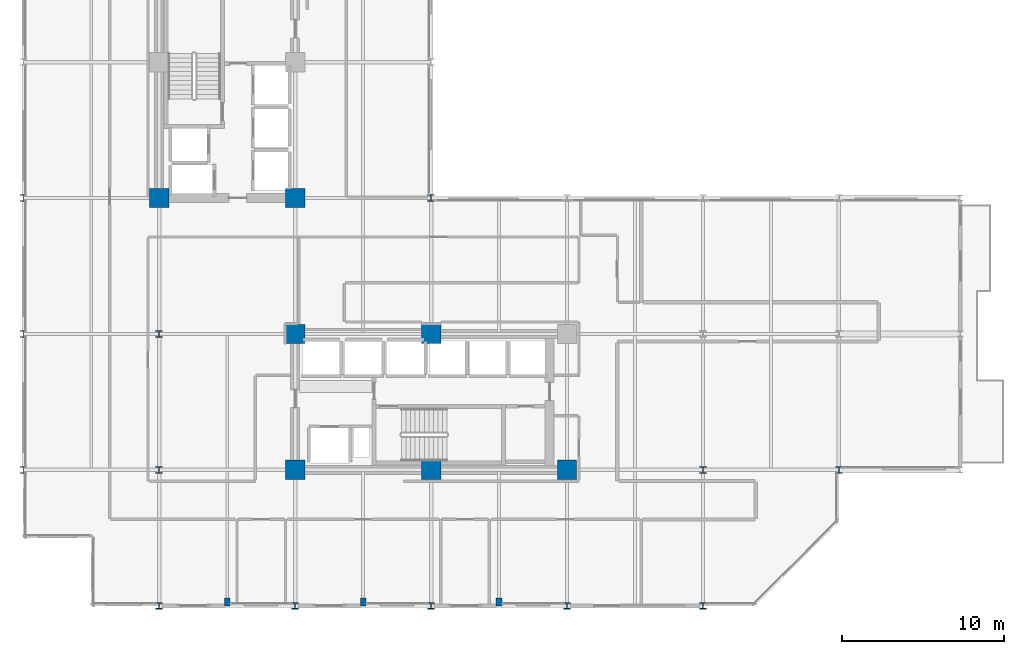
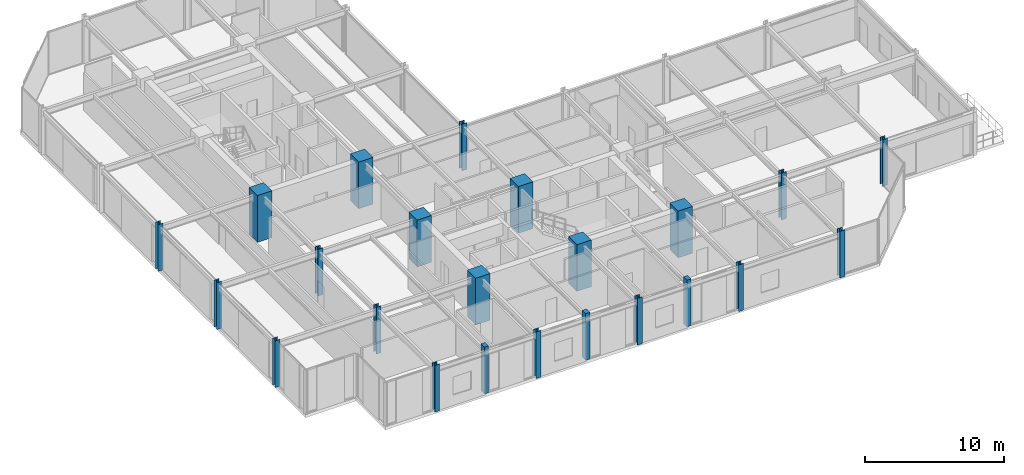
# One storey, part 1 of 38: 23 columns.
"""IFC4 building model written with IfcOpenShell, lengths in metres."""

from ifc_helpers import new_model, si_unit, direction, frame, origin, origin_2d, place, context, subcontext, project, spatial, rectangle, i_section, extrude, material, material_profile, profile_set, type_object, element, save


model = new_model("IFC4")

# Units and contexts
model_context = context("Model", 3, precision=1e-05, world=origin(), true_north=direction((0.0, 1.0)))
body_context = subcontext(model_context, "Body", "Model", "MODEL_VIEW")
ifc_project = project(units=[si_unit("LENGTHUNIT", "METRE"), si_unit("AREAUNIT", "SQUARE_METRE"), si_unit("VOLUMEUNIT", "CUBIC_METRE"), si_unit("PLANEANGLEUNIT", "RADIAN"), si_unit("MASSUNIT", "GRAM", prefix="KILO")], contexts=[model_context])

# Site, building, storey
site_placement = place(None, origin())
site = spatial("IfcSite", under=ifc_project, at=site_placement, CompositionType="ELEMENT")
building_placement = place(site_placement, origin())
building = spatial("IfcBuilding", under=site, at=building_placement, Name="Nerrivon Quay Data Exchange", CompositionType="ELEMENT")
storey_placement = place(building_placement, frame((0.0, 0.0, 84.39990234375)))
storey = spatial("IfcBuildingStorey", under=building, at=storey_placement, Name="L19", CompositionType="ELEMENT", Elevation=84.39990234375)

# Columns
ifc_material_1 = material(Name="Concrete S65 (65 MPa)", Category="concrete")
ifc_material_profile_1 = material_profile(ifc_material_1, rectangle(XDim=1.199951171875, YDim=1.199951171875, at=origin_2d()), Name="RC-COL-1200x1200")
ifc_profile_set_1 = profile_set([ifc_material_profile_1], Name="Concrete S65 (65 MPa)")
column_type_1 = type_object("IfcColumnType", Name="COL-C3-1200", PredefinedType="COLUMN", material=ifc_profile_set_1)
for number, where, z_axis, x_axis, name in (
    (1, (8.39990234375, 25.199951171875, 0.0), (0.0, 0.0, 1.0), (1.0, 0.0, 0.0), "L19 Column (8.4,25.2)"),
    (2, (16.800048828125, 8.39990234375, 0.0), (0.0, 0.0, 1.0), (1.0, 0.0, 0.0), "L19 Column (16.8,8.4)"),
    (3, (16.800048828125, 16.800048828125, 0.0), (0.0, 0.0, 1.0), (1.0, 0.0, 0.0), "L19 Column (16.8,16.8)"),
    (4, (16.800048828125, 25.199951171875, 0.0), (0.0, 0.0, 1.0), (1.0, 0.0, 0.0), "L19 Column (16.8,25.2)"),
    (5, (25.199951171875, 8.39990234375, 0.0), (0.0, 0.0, 1.0), (1.0, 0.0, 0.0), "L19 Column (25.2,8.4)"),
    (6, (25.199951171875, 16.800048828125, 0.0), (0.0, 0.0, 1.0), (1.0, 0.0, 0.0), "L19 Column (25.2,16.8)"),
    (7, (33.60009765625, 8.39990234375, 0.0), (0.0, 0.0, 1.0), (1.0, 0.0, 0.0), "L19 Column (33.6,8.4)"),
):
    element("IfcColumn", number, at=place(storey_placement, frame(where, z_axis=z_axis, x_axis=x_axis)), inside=storey, type_object=column_type_1, Name=name, PredefinedType="COLUMN", context=body_context, shape_type="SweptSolid", body=[
        extrude(rectangle(XDim=1.199951171875, YDim=1.199951171875, at=origin_2d()), origin(), (0.0, 0.0, 1.0), 4.10009765625),
    ])
ifc_material_2 = material(Name="Steel Grade 350", Category="steel")
ifc_material_profile_2 = material_profile(ifc_material_2, i_section(OverallWidth=0.39990234375, OverallDepth=0.39990234375, WebThickness=0.02490234375, FlangeThickness=0.0400390625, at=origin_2d()), Name="400WC328")
ifc_profile_set_2 = profile_set([ifc_material_profile_2], Name="Steel Grade 350")
column_type_2 = type_object("IfcColumnType", Name="COL-SC2-400WC", PredefinedType="COLUMN", material=ifc_profile_set_2)
for number, where, z_axis, x_axis, name in (
    (8, (0.0, 8.39990234375, 0.0), (0.0, 0.0, 1.0), (1.0, 0.0, 0.0), "L19 Column (0.0,8.4)"),
    (9, (0.0, 16.800048828125, 0.0), (0.0, 0.0, 1.0), (1.0, 0.0, 0.0), "L19 Column (0.0,16.8)"),
    (10, (0.0, 25.199951171875, 0.0), (0.0, 0.0, 1.0), (1.0, 0.0, 0.0), "L19 Column (0.0,25.2)"),
    (11, (8.39990234375, 0.0, 0.0), (0.0, 0.0, 1.0), (1.0, 0.0, 0.0), "L19 Column (8.4,0.0)"),
    (12, (8.39990234375, 8.39990234375, 0.0), (0.0, 0.0, 1.0), (1.0, 0.0, 0.0), "L19 Column (8.4,8.4)"),
    (13, (8.39990234375, 16.800048828125, 0.0), (0.0, 0.0, 1.0), (1.0, 0.0, 0.0), "L19 Column (8.4,16.8)"),
    (14, (16.800048828125, 0.0, 0.0), (0.0, 0.0, 1.0), (1.0, 0.0, 0.0), "L19 Column (16.8,0.0)"),
    (15, (25.199951171875, 0.0, 0.0), (0.0, 0.0, 1.0), (1.0, 0.0, 0.0), "L19 Column (25.2,0.0)"),
    (16, (25.199951171875, 25.199951171875, 0.0), (0.0, 0.0, 1.0), (1.0, 0.0, 0.0), "L19 Column (25.2,25.2)"),
    (17, (33.60009765625, 0.0, 0.0), (0.0, 0.0, 1.0), (1.0, 0.0, 0.0), "L19 Column (33.6,0.0)"),
    (18, (42.0, 0.0, 0.0), (0.0, 0.0, 1.0), (1.0, 0.0, 0.0), "L19 Column (42.0,0.0)"),
    (19, (42.0, 8.39990234375, 0.0), (0.0, 0.0, 1.0), (1.0, 0.0, 0.0), "L19 Column (42.0,8.4)"),
    (20, (50.39990234375, 8.39990234375, 0.0), (0.0, 0.0, 1.0), (1.0, 0.0, 0.0), "L19 Column (50.4,8.4)"),
):
    element("IfcColumn", number, at=place(storey_placement, frame(where, z_axis=z_axis, x_axis=x_axis)), inside=storey, type_object=column_type_2, Name=name, PredefinedType="COLUMN", context=body_context, shape_type="SweptSolid", body=[
        extrude(i_section(OverallWidth=0.39990234375, OverallDepth=0.39990234375, WebThickness=0.02490234375, FlangeThickness=0.0400390625, at=origin_2d()), origin(), (0.0, 0.0, 1.0), 4.10009765625),
    ])
ifc_material_3 = material(Name="Concrete N50 (50 MPa)", Category="concrete")
ifc_material_profile_3 = material_profile(ifc_material_3, rectangle(XDim=0.35009765625, YDim=0.5, at=origin_2d()), Name="RC-PIL-500x350")
ifc_profile_set_3 = profile_set([ifc_material_profile_3], Name="Concrete N50 (50 MPa)")
column_type_3 = type_object("IfcColumnType", Name="PIL-P2-500x350", PredefinedType="PILASTER", material=ifc_profile_set_3)
for number, where, z_axis, x_axis, name in (
    (21, (12.60009765625, 0.25, 0.0), (0.0, 0.0, 1.0), (1.0, 0.0, 0.0), "L19 Facade Pilaster (12.6)"),
    (22, (21.0, 0.25, 0.0), (0.0, 0.0, 1.0), (1.0, 0.0, 0.0), "L19 Facade Pilaster (21.0)"),
    (23, (29.39990234375, 0.25, 0.0), (0.0, 0.0, 1.0), (1.0, 0.0, 0.0), "L19 Facade Pilaster (29.4)"),
):
    element("IfcColumn", number, at=place(storey_placement, frame(where, z_axis=z_axis, x_axis=x_axis)), inside=storey, type_object=column_type_3, Name=name, PredefinedType="PILASTER", context=body_context, shape_type="SweptSolid", body=[
        extrude(rectangle(XDim=0.35009765625, YDim=0.5, at=origin_2d()), origin(), (0.0, 0.0, 1.0), 4.10009765625),
    ])

save(model, "model.ifc")
